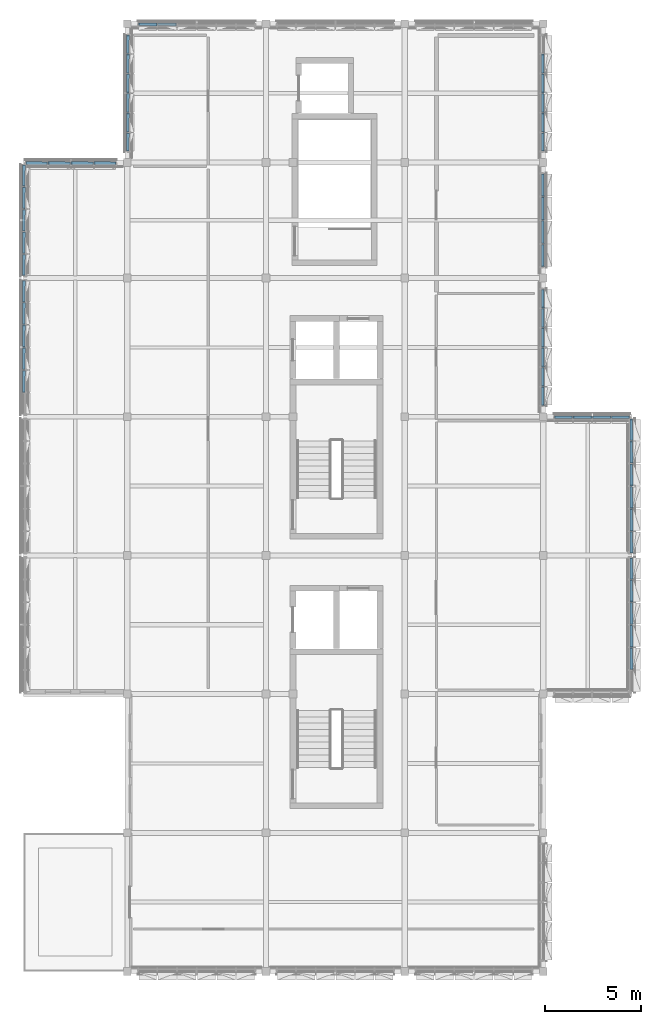
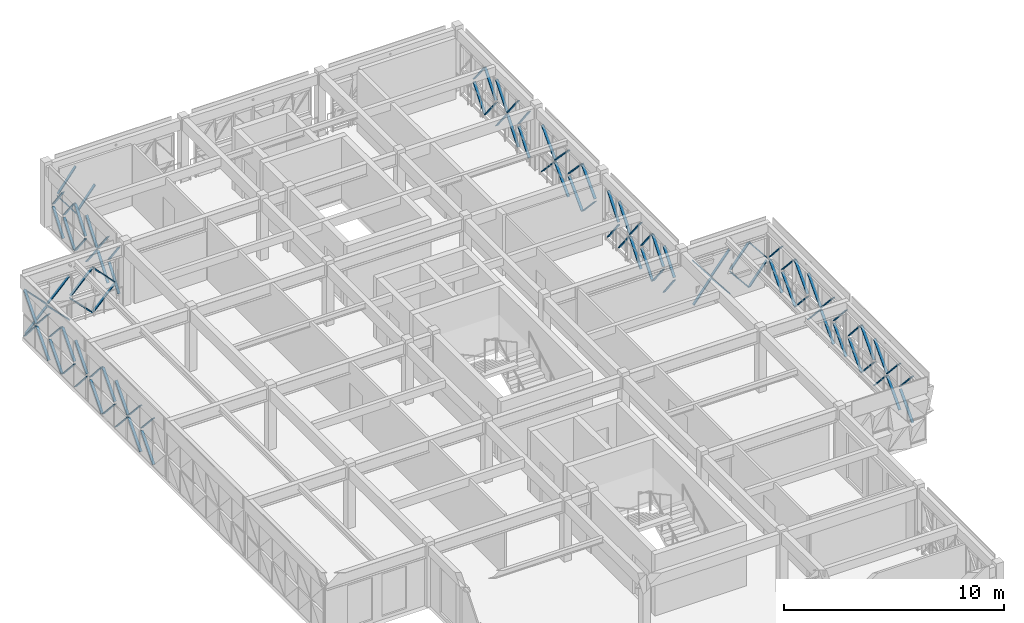
# One storey, part 18 of 25: 103 discrete accessories.
"""IFC4 building model written with IfcOpenShell, lengths in metres."""

from ifc_helpers import new_model, si_unit, direction, frame, origin, origin_2d, place, context, subcontext, project, spatial, rectangle, extrude, material, type_object, element, save


model = new_model("IFC4")

# Units and contexts
model_context = context("Model", 3, precision=1e-05, world=origin(), true_north=direction((0.0, 1.0)))
body_context = subcontext(model_context, "Body", "Model", "MODEL_VIEW")
ifc_project = project(units=[si_unit("LENGTHUNIT", "METRE"), si_unit("AREAUNIT", "SQUARE_METRE"), si_unit("VOLUMEUNIT", "CUBIC_METRE"), si_unit("PLANEANGLEUNIT", "RADIAN"), si_unit("MASSUNIT", "GRAM", prefix="KILO")], contexts=[model_context])

# Site, building, storey
site_placement = place(None, origin())
site = spatial("IfcSite", under=ifc_project, at=site_placement, CompositionType="ELEMENT")
building_placement = place(site_placement, origin())
building = spatial("IfcBuilding", under=site, at=building_placement, Name="Alvorim Cloister Faculty of Sciences", CompositionType="ELEMENT")
storey_placement = place(building_placement, frame((0.0, 0.0, 29.699951171875)))
storey = spatial("IfcBuildingStorey", under=building, at=storey_placement, Name="L08", CompositionType="ELEMENT", Elevation=29.699951171875)

# Discrete accessories
ifc_material = material(Name="Aluminium Alloy 6063-T6", Category="aluminium")
discrete_accessory_type = type_object("IfcDiscreteAccessoryType", Name="ACC-DIAG-BAR", PredefinedType="BRACKET", material=ifc_material)
for number, where, z_axis, x_axis, name in (
    (1, (1.822509765625, 37.285888671875, 0.14013671875), (0.006063377232, 0.671408113036, 0.741063007582), (-0.999959224486, 0.009030468767, 0.0), "Diagonal Cassette Glazing Bracket ACC-03159"),
    (2, (1.822509765625, 37.285888671875, 2.72705078125), (0.006063377232, 0.671408113036, -0.741063007582), (-0.999959224486, 0.009030468767, 0.0), "Diagonal Cassette Glazing Bracket ACC-03160"),
):
    element("IfcDiscreteAccessory", number, at=place(storey_placement, frame(where, z_axis=z_axis, x_axis=x_axis)), inside=storey, type_object=discrete_accessory_type, Name=name, PredefinedType="BRACKET", context=body_context, shape_type="SweptSolid", body=[
        extrude(rectangle(XDim=0.139892578125, YDim=0.044921875, at=origin_2d()), origin(), (0.0, 0.0, 1.0), 1.65087890625),
    ])
for number, where, z_axis, x_axis, name in (
    (3, (1.822509765625, 38.459228515625, 0.14013671875), (0.006063979305, 0.671326879612, 0.741136592583), (-0.999959206518, 0.009032458133, 0.0), "Diagonal Cassette Glazing Bracket ACC-03161"),
    (4, (1.822509765625, 38.459228515625, 2.72705078125), (0.006063979305, 0.671326879612, -0.741136592583), (-0.999959206518, 0.009032458133, 0.0), "Diagonal Cassette Glazing Bracket ACC-03162"),
    (5, (1.822509765625, 39.632568359375, 1.363525390625), (0.006063979305, 0.671326879612, -0.741136592583), (-0.999959206518, 0.009032458133, 0.0), "Diagonal Cassette Glazing Bracket ACC-03163"),
    (6, (1.822509765625, 39.632568359375, 1.503662109375), (0.006063979305, 0.671326879612, 0.741136592583), (-0.999959206518, 0.009032458133, 0.0), "Diagonal Cassette Glazing Bracket ACC-03164"),
    (7, (1.822509765625, 40.805908203125, 1.363525390625), (0.006063979305, 0.671326879612, -0.741136592583), (-0.999959206518, 0.009032458133, 0.0), "Diagonal Cassette Glazing Bracket ACC-03165"),
    (8, (1.822509765625, 40.805908203125, 1.503662109375), (0.006063979305, 0.671326879612, 0.741136592583), (-0.999959206518, 0.009032458133, 0.0), "Diagonal Cassette Glazing Bracket ACC-03166"),
):
    element("IfcDiscreteAccessory", number, at=place(storey_placement, frame(where, z_axis=z_axis, x_axis=x_axis)), inside=storey, type_object=discrete_accessory_type, Name=name, PredefinedType="BRACKET", context=body_context, shape_type="SweptSolid", body=[
        extrude(rectangle(XDim=0.139892578125, YDim=0.044921875, at=origin_2d()), origin(), (0.0, 0.0, 1.0), 1.650634765625),
    ])
for number, where, z_axis, x_axis, name in (
    (9, (1.822509765625, 41.979248046875, 0.14013671875), (0.006144459106, 0.660304556563, 0.750972794584), (-0.999956706716, 0.009305089645, 0.0), "Diagonal Cassette Glazing Bracket ACC-03167"),
    (10, (1.822509765625, 41.979248046875, 2.72705078125), (0.006144459106, 0.660304556563, -0.750972794584), (-0.999956706716, 0.009305089645, 0.0), "Diagonal Cassette Glazing Bracket ACC-03168"),
):
    element("IfcDiscreteAccessory", number, at=place(storey_placement, frame(where, z_axis=z_axis, x_axis=x_axis)), inside=storey, type_object=discrete_accessory_type, Name=name, PredefinedType="BRACKET", context=body_context, shape_type="SweptSolid", body=[
        extrude(rectangle(XDim=0.139892578125, YDim=0.044921875, at=origin_2d()), origin(), (0.0, 0.0, 1.0), 1.629150390625),
    ])
for number, where, z_axis, x_axis, name in (
    (11, (1.822509765625, 43.344970703125, 1.363525390625), (0.006157237137, 0.658524020584, -0.752534519304), (-0.999956291083, 0.009349648332, 0.0), "Diagonal Cassette Glazing Bracket ACC-03170"),
    (12, (1.822509765625, 43.344970703125, 1.503662109375), (0.006157237137, 0.658524020584, 0.752534519304), (-0.999956291083, 0.009349648332, 0.0), "Diagonal Cassette Glazing Bracket ACC-03171"),
):
    element("IfcDiscreteAccessory", number, at=place(storey_placement, frame(where, z_axis=z_axis, x_axis=x_axis)), inside=storey, type_object=discrete_accessory_type, Name=name, PredefinedType="BRACKET", context=body_context, shape_type="SweptSolid", body=[
        extrude(rectangle(XDim=0.139892578125, YDim=0.044921875, at=origin_2d()), origin(), (0.0, 0.0, 1.0), 1.625732421875),
    ])
for number, where, z_axis, x_axis, name in (
    (13, (1.822509765625, 44.48046875, 1.363525390625), (0.006076633568, 0.669615377045, -0.742683190432), (-0.999958826438, 0.009074438221, 0.0), "Diagonal Cassette Glazing Bracket ACC-03172"),
    (14, (1.822509765625, 44.48046875, 1.503662109375), (0.006076633568, 0.669615377045, 0.742683190432), (-0.999958826438, 0.009074438221, 0.0), "Diagonal Cassette Glazing Bracket ACC-03173"),
    (15, (1.822509765625, 45.6484375, 0.14013671875), (0.006076633568, 0.669615377045, 0.742683190432), (-0.999958826438, 0.009074438221, 0.0), "Diagonal Cassette Glazing Bracket ACC-03174"),
    (16, (1.822509765625, 45.6484375, 2.72705078125), (0.006076633568, 0.669615377045, -0.742683190432), (-0.999958826438, 0.009074438221, 0.0), "Diagonal Cassette Glazing Bracket ACC-03175"),
    (17, (1.822509765625, 46.81640625, 0.14013671875), (0.006076633568, 0.669615377045, 0.742683190432), (-0.999958826438, 0.009074438221, 0.0), "Diagonal Cassette Glazing Bracket ACC-03176"),
    (18, (1.822509765625, 46.81640625, 2.72705078125), (0.006076633568, 0.669615377045, -0.742683190432), (-0.999958826438, 0.009074438221, 0.0), "Diagonal Cassette Glazing Bracket ACC-03177"),
):
    element("IfcDiscreteAccessory", number, at=place(storey_placement, frame(where, z_axis=z_axis, x_axis=x_axis)), inside=storey, type_object=discrete_accessory_type, Name=name, PredefinedType="BRACKET", context=body_context, shape_type="SweptSolid", body=[
        extrude(rectangle(XDim=0.139892578125, YDim=0.044921875, at=origin_2d()), origin(), (0.0, 0.0, 1.0), 1.647216796875),
    ])
for number, where, z_axis, x_axis, name in (
    (19, (1.822509765625, 47.984619140625, 1.363525390625), (0.006157846076, 0.65843895608, -0.75260894364), (-0.999956271142, 0.00935178082, 0.0), "Diagonal Cassette Glazing Bracket ACC-03178"),
    (20, (1.822509765625, 47.984619140625, 1.503662109375), (0.006157846076, 0.65843895608, 0.75260894364), (-0.999956271142, 0.00935178082, 0.0), "Diagonal Cassette Glazing Bracket ACC-03179"),
):
    element("IfcDiscreteAccessory", number, at=place(storey_placement, frame(where, z_axis=z_axis, x_axis=x_axis)), inside=storey, type_object=discrete_accessory_type, Name=name, PredefinedType="BRACKET", context=body_context, shape_type="SweptSolid", body=[
        extrude(rectangle(XDim=0.139892578125, YDim=0.044921875, at=origin_2d()), origin(), (0.0, 0.0, 1.0), 1.62548828125),
    ])
for number, where, z_axis, x_axis, name in (
    (21, (1.945068359375, 49.177490234375, 0.14013671875), (0.69100295775, -0.006302807846, 0.722824451021), (0.009120866422, 0.999958404033, 0.0), "Diagonal Cassette Glazing Bracket ACC-03181"),
    (22, (1.945068359375, 49.177490234375, 2.575927734375), (0.69100295775, -0.006302807846, -0.722824451021), (0.009120866422, 0.999958404033, 0.0), "Diagonal Cassette Glazing Bracket ACC-03182"),
):
    element("IfcDiscreteAccessory", number, at=place(storey_placement, frame(where, z_axis=z_axis, x_axis=x_axis)), inside=storey, type_object=discrete_accessory_type, Name=name, PredefinedType="BRACKET", context=body_context, shape_type="SweptSolid", body=[
        extrude(rectangle(XDim=0.139892578125, YDim=0.044921875, at=origin_2d()), origin(), (0.0, 0.0, 1.0), 1.588134765625),
    ])
for number, where, z_axis, x_axis, name in (
    (23, (3.107421875, 49.177490234375, 1.2880859375), (0.701539800374, -0.006213681533, -0.712603184566), (0.008856857176, 0.999960777271, 0.0), "Diagonal Cassette Glazing Bracket ACC-03183"),
    (24, (3.107421875, 49.177490234375, 1.427978515625), (0.701539800374, -0.006213681533, 0.712603184566), (0.008856857176, 0.999960777271, 0.0), "Diagonal Cassette Glazing Bracket ACC-03184"),
    (25, (4.302490234375, 49.177490234375, 1.2880859375), (0.701539800374, -0.006213681533, -0.712603184566), (0.008856857176, 0.999960777271, 0.0), "Diagonal Cassette Glazing Bracket ACC-03185"),
    (26, (4.302490234375, 49.177490234375, 1.427978515625), (0.701539800374, -0.006213681533, 0.712603184566), (0.008856857176, 0.999960777271, 0.0), "Diagonal Cassette Glazing Bracket ACC-03186"),
):
    element("IfcDiscreteAccessory", number, at=place(storey_placement, frame(where, z_axis=z_axis, x_axis=x_axis)), inside=storey, type_object=discrete_accessory_type, Name=name, PredefinedType="BRACKET", context=body_context, shape_type="SweptSolid", body=[
        extrude(rectangle(XDim=0.139892578125, YDim=0.044921875, at=origin_2d()), origin(), (0.0, 0.0, 1.0), 1.61083984375),
    ])
for number, where, z_axis, x_axis, name in (
    (27, (5.49755859375, 49.177490234375, 0.14013671875), (0.69100295775, -0.006302807846, 0.722824451021), (0.009120866422, 0.999958404033, 0.0), "Diagonal Cassette Glazing Bracket ACC-03187"),
    (28, (5.49755859375, 49.177490234375, 2.575927734375), (0.69100295775, -0.006302807846, -0.722824451021), (0.009120866422, 0.999958404033, 0.0), "Diagonal Cassette Glazing Bracket ACC-03188"),
):
    element("IfcDiscreteAccessory", number, at=place(storey_placement, frame(where, z_axis=z_axis, x_axis=x_axis)), inside=storey, type_object=discrete_accessory_type, Name=name, PredefinedType="BRACKET", context=body_context, shape_type="SweptSolid", body=[
        extrude(rectangle(XDim=0.139892578125, YDim=0.044921875, at=origin_2d()), origin(), (0.0, 0.0, 1.0), 1.588134765625),
    ])
for number, where, z_axis, x_axis, name in (
    (29, (7.222412109375, 49.804931640625, 0.14013671875), (0.006544101461, 0.603174620015, 0.797582317072), (-0.999941150118, 0.010848792579, 0.0), "Diagonal Cassette Glazing Bracket ACC-03190"),
    (30, (7.222412109375, 49.804931640625, 2.719970703125), (0.006544101461, 0.603174620015, -0.797582317072), (-0.999941150118, 0.010848792579, 0.0), "Diagonal Cassette Glazing Bracket ACC-03191"),
):
    element("IfcDiscreteAccessory", number, at=place(storey_placement, frame(where, z_axis=z_axis, x_axis=x_axis)), inside=storey, type_object=discrete_accessory_type, Name=name, PredefinedType="BRACKET", context=body_context, shape_type="SweptSolid", body=[
        extrude(rectangle(XDim=0.139892578125, YDim=0.044921875, at=origin_2d()), origin(), (0.0, 0.0, 1.0), 1.529541015625),
    ])
for number, where, z_axis, x_axis, name in (
    (31, (7.222412109375, 50.79248046875, 0.14013671875), (0.006460464468, 0.616422853607, 0.787388803546), (-0.999945083323, 0.010479997039, 0.0), "Diagonal Cassette Glazing Bracket ACC-03192"),
    (32, (7.222412109375, 50.79248046875, 2.719970703125), (0.006460464468, 0.616422853607, -0.787388803546), (-0.999945083323, 0.010479997039, 0.0), "Diagonal Cassette Glazing Bracket ACC-03193"),
    (33, (7.222412109375, 51.8125, 1.360107421875), (0.006460464468, 0.616422853607, -0.787388803546), (-0.999945083323, 0.010479997039, 0.0), "Diagonal Cassette Glazing Bracket ACC-03194"),
    (34, (7.222412109375, 51.8125, 1.5), (0.006460464468, 0.616422853607, 0.787388803546), (-0.999945083323, 0.010479997039, 0.0), "Diagonal Cassette Glazing Bracket ACC-03195"),
    (35, (7.222412109375, 52.83251953125, 1.360107421875), (0.006460464468, 0.616422853607, -0.787388803546), (-0.999945083323, 0.010479997039, 0.0), "Diagonal Cassette Glazing Bracket ACC-03196"),
    (36, (7.222412109375, 52.83251953125, 1.5), (0.006460464468, 0.616422853607, 0.787388803546), (-0.999945083323, 0.010479997039, 0.0), "Diagonal Cassette Glazing Bracket ACC-03197"),
    (37, (7.222412109375, 53.8525390625, 0.14013671875), (0.006460464468, 0.616422853607, 0.787388803546), (-0.999945083323, 0.010479997039, 0.0), "Diagonal Cassette Glazing Bracket ACC-03198"),
    (38, (7.222412109375, 53.8525390625, 2.719970703125), (0.006460464468, 0.616422853607, -0.787388803546), (-0.999945083323, 0.010479997039, 0.0), "Diagonal Cassette Glazing Bracket ACC-03199"),
):
    element("IfcDiscreteAccessory", number, at=place(storey_placement, frame(where, z_axis=z_axis, x_axis=x_axis)), inside=storey, type_object=discrete_accessory_type, Name=name, PredefinedType="BRACKET", context=body_context, shape_type="SweptSolid", body=[
        extrude(rectangle(XDim=0.139892578125, YDim=0.044921875, at=origin_2d()), origin(), (0.0, 0.0, 1.0), 1.54931640625),
    ])
for number, where, z_axis, x_axis, name in (
    (39, (7.222412109375, 54.87255859375, 0.14013671875), (0.006544731496, 0.603073063181, 0.797659104477), (-0.999941118963, 0.010851663811, 0.0), "Diagonal Cassette Glazing Bracket ACC-03200"),
    (40, (7.222412109375, 54.87255859375, 2.719970703125), (0.006544731496, 0.603073063181, -0.797659104477), (-0.999941118963, 0.010851663811, 0.0), "Diagonal Cassette Glazing Bracket ACC-03201"),
    (41, (7.804931640625, 56.37744140625, 1.360107421875), (0.603174620015, -0.006544101461, -0.797582317072), (0.010848792579, 0.999941150118, 0.0), "Diagonal Cassette Glazing Bracket ACC-03203"),
    (42, (7.804931640625, 56.37744140625, 1.5), (0.603174620015, -0.006544101461, 0.797582317072), (0.010848792579, 0.999941150118, 0.0), "Diagonal Cassette Glazing Bracket ACC-03204"),
):
    element("IfcDiscreteAccessory", number, at=place(storey_placement, frame(where, z_axis=z_axis, x_axis=x_axis)), inside=storey, type_object=discrete_accessory_type, Name=name, PredefinedType="BRACKET", context=body_context, shape_type="SweptSolid", body=[
        extrude(rectangle(XDim=0.139892578125, YDim=0.044921875, at=origin_2d()), origin(), (0.0, 0.0, 1.0), 1.529541015625),
    ])
discrete_accessory_placement = place(storey_placement, frame((8.79248046875, 56.37744140625, 0.14013671875), z_axis=(0.616422853607, -0.006460464468, 0.787388803546), x_axis=(0.010479997039, 0.999945083323, 0.0)))
element("IfcDiscreteAccessory", 43, at=discrete_accessory_placement, inside=storey, type_object=discrete_accessory_type, Name="Diagonal Cassette Glazing Bracket ACC-03205", PredefinedType="BRACKET", context=body_context, shape_type="SweptSolid", body=[
    extrude(rectangle(XDim=0.139892578125, YDim=0.044921875, at=origin_2d()), origin(), (0.0, 0.0, 1.0), 1.54931640625),
])
for number, where, z_axis, x_axis, name in (
    (44, (28.777587890625, 49.804931640625, 0.14013671875), (-0.006544101461, 0.603174620015, 0.797582317072), (-0.999941150118, -0.010848792579, 0.0), "Diagonal Cassette Glazing Bracket ACC-03242"),
    (45, (28.777587890625, 49.804931640625, 2.719970703125), (-0.006544101461, 0.603174620015, -0.797582317072), (-0.999941150118, -0.010848792579, 0.0), "Diagonal Cassette Glazing Bracket ACC-03243"),
):
    element("IfcDiscreteAccessory", number, at=place(storey_placement, frame(where, z_axis=z_axis, x_axis=x_axis)), inside=storey, type_object=discrete_accessory_type, Name=name, PredefinedType="BRACKET", context=body_context, shape_type="SweptSolid", body=[
        extrude(rectangle(XDim=0.139892578125, YDim=0.044921875, at=origin_2d()), origin(), (0.0, 0.0, 1.0), 1.529541015625),
    ])
for number, where, z_axis, x_axis, name in (
    (46, (28.777587890625, 50.79248046875, 0.14013671875), (-0.006460464468, 0.616422853607, 0.787388803546), (-0.999945083323, -0.010479997039, 0.0), "Diagonal Cassette Glazing Bracket ACC-03244"),
    (47, (28.777587890625, 50.79248046875, 2.719970703125), (-0.006460464468, 0.616422853607, -0.787388803546), (-0.999945083323, -0.010479997039, 0.0), "Diagonal Cassette Glazing Bracket ACC-03245"),
    (48, (28.777587890625, 51.8125, 1.360107421875), (-0.006460464468, 0.616422853607, -0.787388803546), (-0.999945083323, -0.010479997039, 0.0), "Diagonal Cassette Glazing Bracket ACC-03246"),
    (49, (28.777587890625, 51.8125, 1.5), (-0.006460464468, 0.616422853607, 0.787388803546), (-0.999945083323, -0.010479997039, 0.0), "Diagonal Cassette Glazing Bracket ACC-03247"),
    (50, (28.777587890625, 52.83251953125, 1.360107421875), (-0.006460464468, 0.616422853607, -0.787388803546), (-0.999945083323, -0.010479997039, 0.0), "Diagonal Cassette Glazing Bracket ACC-03248"),
    (51, (28.777587890625, 52.83251953125, 1.5), (-0.006460464468, 0.616422853607, 0.787388803546), (-0.999945083323, -0.010479997039, 0.0), "Diagonal Cassette Glazing Bracket ACC-03249"),
    (52, (28.777587890625, 53.8525390625, 0.14013671875), (-0.006460464468, 0.616422853607, 0.787388803546), (-0.999945083323, -0.010479997039, 0.0), "Diagonal Cassette Glazing Bracket ACC-03250"),
    (53, (28.777587890625, 53.8525390625, 2.719970703125), (-0.006460464468, 0.616422853607, -0.787388803546), (-0.999945083323, -0.010479997039, 0.0), "Diagonal Cassette Glazing Bracket ACC-03251"),
):
    element("IfcDiscreteAccessory", number, at=place(storey_placement, frame(where, z_axis=z_axis, x_axis=x_axis)), inside=storey, type_object=discrete_accessory_type, Name=name, PredefinedType="BRACKET", context=body_context, shape_type="SweptSolid", body=[
        extrude(rectangle(XDim=0.139892578125, YDim=0.044921875, at=origin_2d()), origin(), (0.0, 0.0, 1.0), 1.54931640625),
    ])
for number, where, z_axis, x_axis, name in (
    (54, (28.777587890625, 43.804931640625, 1.360107421875), (-0.006013048278, 0.680354413733, -0.732858591383), (-0.999960946179, -0.0088377665, 0.0), "Diagonal Cassette Glazing Bracket ACC-03255"),
    (55, (28.777587890625, 43.804931640625, 1.5), (-0.006013048278, 0.680354413733, 0.732858591383), (-0.999960946179, -0.0088377665, 0.0), "Diagonal Cassette Glazing Bracket ACC-03256"),
):
    element("IfcDiscreteAccessory", number, at=place(storey_placement, frame(where, z_axis=z_axis, x_axis=x_axis)), inside=storey, type_object=discrete_accessory_type, Name=name, PredefinedType="BRACKET", context=body_context, shape_type="SweptSolid", body=[
        extrude(rectangle(XDim=0.139892578125, YDim=0.044921875, at=origin_2d()), origin(), (0.0, 0.0, 1.0), 1.664794921875),
    ])
for number, where, z_axis, x_axis, name in (
    (56, (28.777587890625, 45.00244140625, 0.14013671875), (-0.00593370483, 0.690625352408, 0.723188366719), (-0.999963092655, -0.008591468315, 0.0), "Diagonal Cassette Glazing Bracket ACC-03257"),
    (57, (28.777587890625, 45.00244140625, 2.719970703125), (-0.00593370483, 0.690625352408, -0.723188366719), (-0.999963092655, -0.008591468315, 0.0), "Diagonal Cassette Glazing Bracket ACC-03258"),
    (58, (28.777587890625, 46.232421875, 0.14013671875), (-0.00593370483, 0.690625352408, 0.723188366719), (-0.999963092655, -0.008591468315, 0.0), "Diagonal Cassette Glazing Bracket ACC-03259"),
    (59, (28.777587890625, 46.232421875, 2.719970703125), (-0.00593370483, 0.690625352408, -0.723188366719), (-0.999963092655, -0.008591468315, 0.0), "Diagonal Cassette Glazing Bracket ACC-03260"),
):
    element("IfcDiscreteAccessory", number, at=place(storey_placement, frame(where, z_axis=z_axis, x_axis=x_axis)), inside=storey, type_object=discrete_accessory_type, Name=name, PredefinedType="BRACKET", context=body_context, shape_type="SweptSolid", body=[
        extrude(rectangle(XDim=0.139892578125, YDim=0.044921875, at=origin_2d()), origin(), (0.0, 0.0, 1.0), 1.68701171875),
    ])
for number, where, z_axis, x_axis, name in (
    (60, (28.777587890625, 47.46240234375, 1.360107421875), (-0.006013048278, 0.680354413733, -0.732858591383), (-0.999960946179, -0.0088377665, 0.0), "Diagonal Cassette Glazing Bracket ACC-03261"),
    (61, (28.777587890625, 47.46240234375, 1.5), (-0.006013048278, 0.680354413733, 0.732858591383), (-0.999960946179, -0.0088377665, 0.0), "Diagonal Cassette Glazing Bracket ACC-03262"),
):
    element("IfcDiscreteAccessory", number, at=place(storey_placement, frame(where, z_axis=z_axis, x_axis=x_axis)), inside=storey, type_object=discrete_accessory_type, Name=name, PredefinedType="BRACKET", context=body_context, shape_type="SweptSolid", body=[
        extrude(rectangle(XDim=0.139892578125, YDim=0.044921875, at=origin_2d()), origin(), (0.0, 0.0, 1.0), 1.664794921875),
    ])
for number, where, z_axis, x_axis, name in (
    (62, (28.777587890625, 36.60498046875, 1.360107421875), (-0.006544101461, 0.603174620015, -0.797582317072), (-0.999941150118, -0.010848792579, 0.0), "Diagonal Cassette Glazing Bracket ACC-03264"),
    (63, (28.777587890625, 36.60498046875, 1.5), (-0.006544101461, 0.603174620015, 0.797582317072), (-0.999941150118, -0.010848792579, 0.0), "Diagonal Cassette Glazing Bracket ACC-03265"),
):
    element("IfcDiscreteAccessory", number, at=place(storey_placement, frame(where, z_axis=z_axis, x_axis=x_axis)), inside=storey, type_object=discrete_accessory_type, Name=name, PredefinedType="BRACKET", context=body_context, shape_type="SweptSolid", body=[
        extrude(rectangle(XDim=0.139892578125, YDim=0.044921875, at=origin_2d()), origin(), (0.0, 0.0, 1.0), 1.529541015625),
    ])
for number, where, z_axis, x_axis, name in (
    (64, (28.777587890625, 37.592529296875, 1.360107421875), (-0.006460464468, 0.616422853607, -0.787388803546), (-0.999945083323, -0.010479997039, 0.0), "Diagonal Cassette Glazing Bracket ACC-03266"),
    (65, (28.777587890625, 37.592529296875, 1.5), (-0.006460464468, 0.616422853607, 0.787388803546), (-0.999945083323, -0.010479997039, 0.0), "Diagonal Cassette Glazing Bracket ACC-03267"),
    (66, (28.777587890625, 38.612548828125, 0.14013671875), (-0.006461091991, 0.61632514094, 0.787465284908), (-0.999945055239, -0.010482676365, 0.0), "Diagonal Cassette Glazing Bracket ACC-03268"),
    (67, (28.777587890625, 38.612548828125, 2.719970703125), (-0.006461091991, 0.61632514094, -0.787465284908), (-0.999945055239, -0.010482676365, 0.0), "Diagonal Cassette Glazing Bracket ACC-03269"),
    (68, (28.777587890625, 39.632568359375, 0.14013671875), (-0.006461091991, 0.61632514094, 0.787465284908), (-0.999945055239, -0.010482676365, 0.0), "Diagonal Cassette Glazing Bracket ACC-03270"),
    (69, (28.777587890625, 39.632568359375, 2.719970703125), (-0.006461091991, 0.61632514094, -0.787465284908), (-0.999945055239, -0.010482676365, 0.0), "Diagonal Cassette Glazing Bracket ACC-03271"),
    (70, (28.777587890625, 40.652587890625, 1.360107421875), (-0.006461091991, 0.61632514094, -0.787465284908), (-0.999945055239, -0.010482676365, 0.0), "Diagonal Cassette Glazing Bracket ACC-03272"),
    (71, (28.777587890625, 40.652587890625, 1.5), (-0.006461091991, 0.61632514094, 0.787465284908), (-0.999945055239, -0.010482676365, 0.0), "Diagonal Cassette Glazing Bracket ACC-03273"),
):
    element("IfcDiscreteAccessory", number, at=place(storey_placement, frame(where, z_axis=z_axis, x_axis=x_axis)), inside=storey, type_object=discrete_accessory_type, Name=name, PredefinedType="BRACKET", context=body_context, shape_type="SweptSolid", body=[
        extrude(rectangle(XDim=0.139892578125, YDim=0.044921875, at=origin_2d()), origin(), (0.0, 0.0, 1.0), 1.54931640625),
    ])
for number, where, z_axis, x_axis, name in (
    (72, (28.777587890625, 41.672607421875, 1.360107421875), (-0.006544731496, 0.603073063181, -0.797659104477), (-0.999941118963, -0.010851663811, 0.0), "Diagonal Cassette Glazing Bracket ACC-03274"),
    (73, (28.777587890625, 41.672607421875, 1.5), (-0.006544731496, 0.603073063181, 0.797659104477), (-0.999941118963, -0.010851663811, 0.0), "Diagonal Cassette Glazing Bracket ACC-03275"),
):
    element("IfcDiscreteAccessory", number, at=place(storey_placement, frame(where, z_axis=z_axis, x_axis=x_axis)), inside=storey, type_object=discrete_accessory_type, Name=name, PredefinedType="BRACKET", context=body_context, shape_type="SweptSolid", body=[
        extrude(rectangle(XDim=0.139892578125, YDim=0.044921875, at=origin_2d()), origin(), (0.0, 0.0, 1.0), 1.529541015625),
    ])
for number, where, z_axis, x_axis, name in (
    (74, (29.405029296875, 35.9775390625, 0.14013671875), (0.615896090251, -0.006869352476, 0.787797447324), (0.011152733966, 0.999937806329, 0.0), "Diagonal Cassette Glazing Bracket ACC-03277"),
    (75, (29.405029296875, 35.9775390625, 2.575927734375), (0.615896090251, -0.006869352476, -0.787797447324), (0.011152733966, 0.999937806329, 0.0), "Diagonal Cassette Glazing Bracket ACC-03278"),
):
    element("IfcDiscreteAccessory", number, at=place(storey_placement, frame(where, z_axis=z_axis, x_axis=x_axis)), inside=storey, type_object=discrete_accessory_type, Name=name, PredefinedType="BRACKET", context=body_context, shape_type="SweptSolid", body=[
        extrude(rectangle(XDim=0.139892578125, YDim=0.044921875, at=origin_2d()), origin(), (0.0, 0.0, 1.0), 1.457275390625),
    ])
for number, where, z_axis, x_axis, name in (
    (76, (30.367431640625, 35.9775390625, 1.2880859375), (0.629544975108, -0.006774630966, -0.776934507338), (0.010760531826, 0.999942103801, 0.0), "Diagonal Cassette Glazing Bracket ACC-03279"),
    (77, (30.367431640625, 35.9775390625, 1.427978515625), (0.629544975108, -0.006774630966, 0.776934507338), (0.010760531826, 0.999942103801, 0.0), "Diagonal Cassette Glazing Bracket ACC-03280"),
):
    element("IfcDiscreteAccessory", number, at=place(storey_placement, frame(where, z_axis=z_axis, x_axis=x_axis)), inside=storey, type_object=discrete_accessory_type, Name=name, PredefinedType="BRACKET", context=body_context, shape_type="SweptSolid", body=[
        extrude(rectangle(XDim=0.139892578125, YDim=0.044921875, at=origin_2d()), origin(), (0.0, 0.0, 1.0), 1.4775390625),
    ])
for number, where, z_axis, x_axis, name in (
    (78, (31.362548828125, 35.9775390625, 1.2880859375), (0.629445211673, -0.006775335699, -0.777015328245), (0.010763356526, 0.9999420734, 0.0), "Diagonal Cassette Glazing Bracket ACC-03281"),
    (79, (31.362548828125, 35.9775390625, 1.427978515625), (0.629445211673, -0.006775335699, 0.777015328245), (0.010763356526, 0.9999420734, 0.0), "Diagonal Cassette Glazing Bracket ACC-03282"),
):
    element("IfcDiscreteAccessory", number, at=place(storey_placement, frame(where, z_axis=z_axis, x_axis=x_axis)), inside=storey, type_object=discrete_accessory_type, Name=name, PredefinedType="BRACKET", context=body_context, shape_type="SweptSolid", body=[
        extrude(rectangle(XDim=0.139892578125, YDim=0.044921875, at=origin_2d()), origin(), (0.0, 0.0, 1.0), 1.477294921875),
    ])
for number, where, z_axis, x_axis, name in (
    (80, (32.357421875, 35.9775390625, 0.14013671875), (0.615896090251, -0.006869352476, 0.787797447324), (0.011152733966, 0.999937806329, 0.0), "Diagonal Cassette Glazing Bracket ACC-03283"),
    (81, (32.357421875, 35.9775390625, 2.575927734375), (0.615896090251, -0.006869352476, -0.787797447324), (0.011152733966, 0.999937806329, 0.0), "Diagonal Cassette Glazing Bracket ACC-03284"),
):
    element("IfcDiscreteAccessory", number, at=place(storey_placement, frame(where, z_axis=z_axis, x_axis=x_axis)), inside=storey, type_object=discrete_accessory_type, Name=name, PredefinedType="BRACKET", context=body_context, shape_type="SweptSolid", body=[
        extrude(rectangle(XDim=0.139892578125, YDim=0.044921875, at=origin_2d()), origin(), (0.0, 0.0, 1.0), 1.457275390625),
    ])
for number, where, z_axis, x_axis, name in (
    (82, (33.37744140625, 28.945068359375, 0.14013671875), (-0.006144459106, 0.660304556563, 0.750972794584), (-0.999956706716, -0.009305089645, 0.0), "Diagonal Cassette Glazing Bracket ACC-03286"),
    (83, (33.37744140625, 28.945068359375, 2.72705078125), (-0.006144459106, 0.660304556563, -0.750972794584), (-0.999956706716, -0.009305089645, 0.0), "Diagonal Cassette Glazing Bracket ACC-03287"),
):
    element("IfcDiscreteAccessory", number, at=place(storey_placement, frame(where, z_axis=z_axis, x_axis=x_axis)), inside=storey, type_object=discrete_accessory_type, Name=name, PredefinedType="BRACKET", context=body_context, shape_type="SweptSolid", body=[
        extrude(rectangle(XDim=0.139892578125, YDim=0.044921875, at=origin_2d()), origin(), (0.0, 0.0, 1.0), 1.629150390625),
    ])
for number, where, z_axis, x_axis, name in (
    (84, (33.37744140625, 30.0859375, 0.14013671875), (-0.006063979305, 0.671326879612, 0.741136592583), (-0.999959206518, -0.009032458133, 0.0), "Diagonal Cassette Glazing Bracket ACC-03288"),
    (85, (33.37744140625, 30.0859375, 2.72705078125), (-0.006063979305, 0.671326879612, -0.741136592583), (-0.999959206518, -0.009032458133, 0.0), "Diagonal Cassette Glazing Bracket ACC-03289"),
    (86, (33.37744140625, 31.25927734375, 1.363525390625), (-0.006063979305, 0.671326879612, -0.741136592583), (-0.999959206518, -0.009032458133, 0.0), "Diagonal Cassette Glazing Bracket ACC-03290"),
    (87, (33.37744140625, 31.25927734375, 1.503662109375), (-0.006063979305, 0.671326879612, 0.741136592583), (-0.999959206518, -0.009032458133, 0.0), "Diagonal Cassette Glazing Bracket ACC-03291"),
    (88, (33.37744140625, 32.4326171875, 1.363525390625), (-0.006063979305, 0.671326879612, -0.741136592583), (-0.999959206518, -0.009032458133, 0.0), "Diagonal Cassette Glazing Bracket ACC-03292"),
    (89, (33.37744140625, 32.4326171875, 1.503662109375), (-0.006063979305, 0.671326879612, 0.741136592583), (-0.999959206518, -0.009032458133, 0.0), "Diagonal Cassette Glazing Bracket ACC-03293"),
):
    element("IfcDiscreteAccessory", number, at=place(storey_placement, frame(where, z_axis=z_axis, x_axis=x_axis)), inside=storey, type_object=discrete_accessory_type, Name=name, PredefinedType="BRACKET", context=body_context, shape_type="SweptSolid", body=[
        extrude(rectangle(XDim=0.139892578125, YDim=0.044921875, at=origin_2d()), origin(), (0.0, 0.0, 1.0), 1.650634765625),
    ])
for number, where, z_axis, x_axis, name in (
    (90, (33.37744140625, 33.605712890625, 0.14013671875), (-0.006063377232, 0.671408113036, 0.741063007582), (-0.999959224486, -0.009030468767, 0.0), "Diagonal Cassette Glazing Bracket ACC-03294"),
    (91, (33.37744140625, 33.605712890625, 2.72705078125), (-0.006063377232, 0.671408113036, -0.741063007582), (-0.999959224486, -0.009030468767, 0.0), "Diagonal Cassette Glazing Bracket ACC-03295"),
):
    element("IfcDiscreteAccessory", number, at=place(storey_placement, frame(where, z_axis=z_axis, x_axis=x_axis)), inside=storey, type_object=discrete_accessory_type, Name=name, PredefinedType="BRACKET", context=body_context, shape_type="SweptSolid", body=[
        extrude(rectangle(XDim=0.139892578125, YDim=0.044921875, at=origin_2d()), origin(), (0.0, 0.0, 1.0), 1.65087890625),
    ])
for number, where, z_axis, x_axis, name in (
    (92, (33.37744140625, 34.779052734375, 0.14013671875), (-0.006143851093, 0.660389067481, 0.750898483582), (-0.99995672636, -0.009302978394, 0.0), "Diagonal Cassette Glazing Bracket ACC-03296"),
    (93, (33.37744140625, 34.779052734375, 2.72705078125), (-0.006143851093, 0.660389067481, -0.750898483582), (-0.99995672636, -0.009302978394, 0.0), "Diagonal Cassette Glazing Bracket ACC-03297"),
):
    element("IfcDiscreteAccessory", number, at=place(storey_placement, frame(where, z_axis=z_axis, x_axis=x_axis)), inside=storey, type_object=discrete_accessory_type, Name=name, PredefinedType="BRACKET", context=body_context, shape_type="SweptSolid", body=[
        extrude(rectangle(XDim=0.139892578125, YDim=0.044921875, at=origin_2d()), origin(), (0.0, 0.0, 1.0), 1.629150390625),
    ])
for number, where, z_axis, x_axis, name in (
    (94, (33.37744140625, 22.8857421875, 0.14013671875), (-0.006063377232, 0.671408113036, 0.741063007582), (-0.999959224486, -0.009030468767, 0.0), "Diagonal Cassette Glazing Bracket ACC-03301"),
    (95, (33.37744140625, 22.8857421875, 2.72705078125), (-0.006063377232, 0.671408113036, -0.741063007582), (-0.999959224486, -0.009030468767, 0.0), "Diagonal Cassette Glazing Bracket ACC-03302"),
    (96, (33.37744140625, 24.05908203125, 0.14013671875), (-0.006063377232, 0.671408113036, 0.741063007582), (-0.999959224486, -0.009030468767, 0.0), "Diagonal Cassette Glazing Bracket ACC-03303"),
    (97, (33.37744140625, 24.05908203125, 2.72705078125), (-0.006063377232, 0.671408113036, -0.741063007582), (-0.999959224486, -0.009030468767, 0.0), "Diagonal Cassette Glazing Bracket ACC-03304"),
    (98, (33.37744140625, 25.232421875, 1.363525390625), (-0.006063377232, 0.671408113036, -0.741063007582), (-0.999959224486, -0.009030468767, 0.0), "Diagonal Cassette Glazing Bracket ACC-03305"),
    (99, (33.37744140625, 25.232421875, 1.503662109375), (-0.006063377232, 0.671408113036, 0.741063007582), (-0.999959224486, -0.009030468767, 0.0), "Diagonal Cassette Glazing Bracket ACC-03306"),
    (100, (33.37744140625, 26.40576171875, 1.363525390625), (-0.006063377232, 0.671408113036, -0.741063007582), (-0.999959224486, -0.009030468767, 0.0), "Diagonal Cassette Glazing Bracket ACC-03307"),
    (101, (33.37744140625, 26.40576171875, 1.503662109375), (-0.006063377232, 0.671408113036, 0.741063007582), (-0.999959224486, -0.009030468767, 0.0), "Diagonal Cassette Glazing Bracket ACC-03308"),
):
    element("IfcDiscreteAccessory", number, at=place(storey_placement, frame(where, z_axis=z_axis, x_axis=x_axis)), inside=storey, type_object=discrete_accessory_type, Name=name, PredefinedType="BRACKET", context=body_context, shape_type="SweptSolid", body=[
        extrude(rectangle(XDim=0.139892578125, YDim=0.044921875, at=origin_2d()), origin(), (0.0, 0.0, 1.0), 1.65087890625),
    ])
for number, where, z_axis, x_axis, name in (
    (102, (33.37744140625, 27.5791015625, 0.14013671875), (-0.006143851093, 0.660389067481, 0.750898483582), (-0.99995672636, -0.009302978394, 0.0), "Diagonal Cassette Glazing Bracket ACC-03309"),
    (103, (33.37744140625, 27.5791015625, 2.72705078125), (-0.006143851093, 0.660389067481, -0.750898483582), (-0.99995672636, -0.009302978394, 0.0), "Diagonal Cassette Glazing Bracket ACC-03310"),
):
    element("IfcDiscreteAccessory", number, at=place(storey_placement, frame(where, z_axis=z_axis, x_axis=x_axis)), inside=storey, type_object=discrete_accessory_type, Name=name, PredefinedType="BRACKET", context=body_context, shape_type="SweptSolid", body=[
        extrude(rectangle(XDim=0.139892578125, YDim=0.044921875, at=origin_2d()), origin(), (0.0, 0.0, 1.0), 1.629150390625),
    ])

save(model, "model.ifc")
